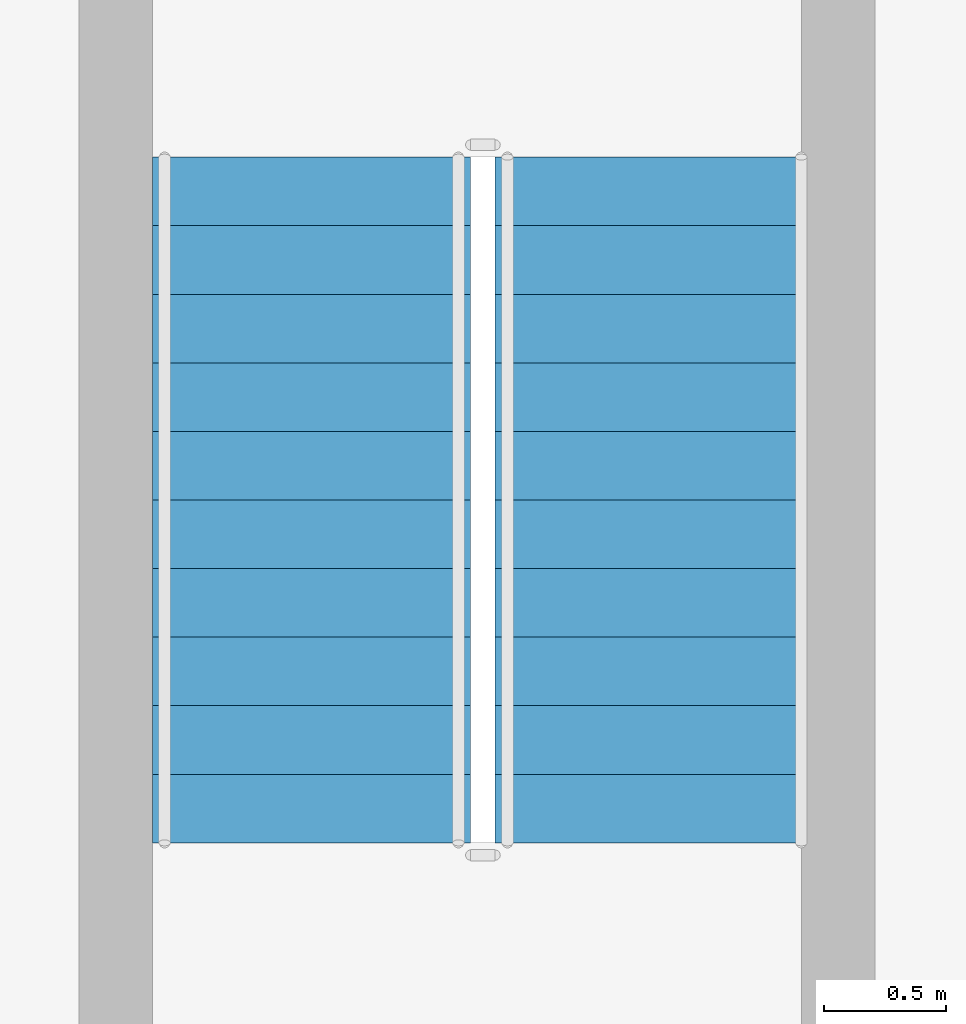
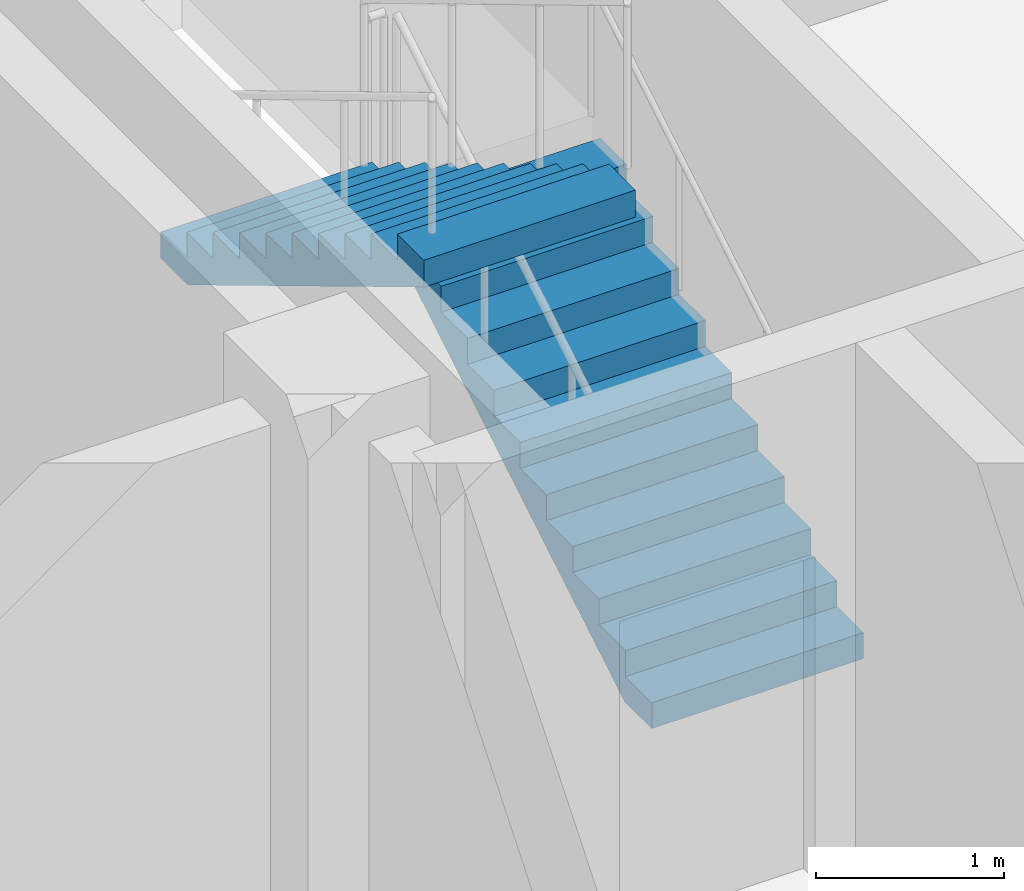
# One storey, part 16 of 23: 2 stair flights, 1 element without a shape of its own.
"""IFC4 building model written with IfcOpenShell, lengths in metres."""

from ifc_helpers import new_model, si_unit, direction, frame, origin, place, context, subcontext, project, spatial, triangles, source, transform, mapped, material, type_object, element, aggregate, save


model = new_model("IFC4")

# Units and contexts
model_context = context("Model", 3, precision=1e-05, world=origin(), true_north=direction((0.0, 1.0)))
body_context = subcontext(model_context, "Body", "Model", "MODEL_VIEW")
ifc_project = project(units=[si_unit("LENGTHUNIT", "METRE"), si_unit("AREAUNIT", "SQUARE_METRE"), si_unit("VOLUMEUNIT", "CUBIC_METRE"), si_unit("PLANEANGLEUNIT", "RADIAN"), si_unit("MASSUNIT", "GRAM", prefix="KILO")], contexts=[model_context])

# Site, building, storey
site_placement = place(None, origin())
site = spatial("IfcSite", under=ifc_project, at=site_placement, CompositionType="ELEMENT")
building_placement = place(site_placement, origin())
building = spatial("IfcBuilding", under=site, at=building_placement, Name="Ogive Portal Towers", CompositionType="ELEMENT")
storey_placement = place(building_placement, frame((0.0, 0.0, 175.5)))
storey = spatial("IfcBuildingStorey", under=building, at=storey_placement, Name="L43", CompositionType="ELEMENT", Elevation=175.5)

# Stair, stair flights
ifc_material = material(Name="Concrete C40/50", Category="concrete")
stair_type = type_object("IfcStairType", Name="INT-STAIR", PredefinedType="HALF_TURN_STAIR", material=ifc_material)
stair_placement = place(storey_placement, origin())
stair = element("IfcStair", 1, at=stair_placement, inside=storey, type_object=stair_type, Name="L43 Exit Stair ST-A3", PredefinedType="HALF_TURN_STAIR")
stair_flight_type = type_object("IfcStairFlightType", Name="INT-FLIGHT", PredefinedType="STRAIGHT", material=ifc_material)
shared_shape = source(origin(), body_context, "Body", "Tessellation", [
    triangles([(0.0, -0.650146484375, 0.0), (0.0, -0.376220703125, 0.0), (0.0, -0.192626953125, 0.0), (0.0, -0.081298828125, 0.0), (0.0, -0.024169921875, 0.0), (0.0, -0.003173828125, 0.0), (0.0, 0.0, 0.0), (0.0, 0.0029296875, 0.0), (0.0, 0.02392578125, 0.0), (0.0, 0.0810546875, 0.0), (0.0, 0.1923828125, 0.0), (0.0, 0.3759765625, 0.0), (0.0, 0.64990234375, 0.0), (0.0, -0.650146484375, 0.168212890625), (0.0, -0.376220703125, 0.168212890625), (0.0, -0.192626953125, 0.168212890625), (0.0, -0.081298828125, 0.168212890625), (0.0, -0.024169921875, 0.168212890625), (0.0, -0.003173828125, 0.168212890625), (0.0, 0.0, 0.168212890625), (0.0, 0.0029296875, 0.168212890625), (0.0, 0.02392578125, 0.168212890625), (0.0, 0.0810546875, 0.168212890625), (0.0, 0.1923828125, 0.168212890625), (0.0, 0.3759765625, 0.168212890625), (0.0, 0.64990234375, 0.168212890625), (0.280029296875, -0.650146484375, 0.168212890625), (0.280029296875, -0.376220703125, 0.168212890625), (0.280029296875, -0.192626953125, 0.168212890625), (0.280029296875, -0.081298828125, 0.168212890625), (0.280029296875, -0.024169921875, 0.168212890625), (0.280029296875, -0.003173828125, 0.168212890625), (0.280029296875, 0.0, 0.168212890625), (0.280029296875, 0.0029296875, 0.168212890625), (0.280029296875, 0.02392578125, 0.168212890625), (0.280029296875, 0.0810546875, 0.168212890625), (0.280029296875, 0.1923828125, 0.168212890625), (0.280029296875, 0.3759765625, 0.168212890625), (0.280029296875, 0.64990234375, 0.168212890625), (0.280029296875, -0.650146484375, 0.33642578125), (0.280029296875, -0.376220703125, 0.33642578125), (0.280029296875, -0.192626953125, 0.33642578125), (0.280029296875, -0.081298828125, 0.33642578125), (0.280029296875, -0.024169921875, 0.33642578125), (0.280029296875, -0.003173828125, 0.33642578125), (0.280029296875, 0.0, 0.33642578125), (0.280029296875, 0.0029296875, 0.33642578125), (0.280029296875, 0.02392578125, 0.33642578125), (0.280029296875, 0.0810546875, 0.33642578125), (0.280029296875, 0.1923828125, 0.33642578125), (0.280029296875, 0.3759765625, 0.33642578125), (0.280029296875, 0.64990234375, 0.33642578125), (0.56005859375, -0.650146484375, 0.33642578125), (0.56005859375, -0.376220703125, 0.33642578125), (0.56005859375, -0.192626953125, 0.33642578125), (0.56005859375, -0.081298828125, 0.33642578125), (0.56005859375, -0.024169921875, 0.33642578125), (0.56005859375, -0.003173828125, 0.33642578125), (0.56005859375, 0.0, 0.33642578125), (0.56005859375, 0.0029296875, 0.33642578125), (0.56005859375, 0.02392578125, 0.33642578125), (0.56005859375, 0.0810546875, 0.33642578125), (0.56005859375, 0.1923828125, 0.33642578125), (0.56005859375, 0.3759765625, 0.33642578125), (0.56005859375, 0.64990234375, 0.33642578125), (0.56005859375, -0.650146484375, 0.504638671875), (0.56005859375, -0.376220703125, 0.504638671875), (0.56005859375, -0.192626953125, 0.504638671875), (0.56005859375, -0.081298828125, 0.504638671875), (0.56005859375, -0.024169921875, 0.504638671875), (0.56005859375, -0.003173828125, 0.504638671875), (0.56005859375, 0.0, 0.504638671875), (0.56005859375, 0.0029296875, 0.504638671875), (0.56005859375, 0.02392578125, 0.504638671875), (0.56005859375, 0.0810546875, 0.504638671875), (0.56005859375, 0.1923828125, 0.504638671875), (0.56005859375, 0.3759765625, 0.504638671875), (0.56005859375, 0.64990234375, 0.504638671875), (0.840087890625, -0.650146484375, 0.504638671875), (0.840087890625, -0.376220703125, 0.504638671875), (0.840087890625, -0.192626953125, 0.504638671875), (0.840087890625, -0.081298828125, 0.504638671875), (0.840087890625, -0.024169921875, 0.504638671875), (0.840087890625, -0.003173828125, 0.504638671875), (0.840087890625, 0.0, 0.504638671875), (0.840087890625, 0.0029296875, 0.504638671875), (0.840087890625, 0.02392578125, 0.504638671875), (0.840087890625, 0.0810546875, 0.504638671875), (0.840087890625, 0.1923828125, 0.504638671875), (0.840087890625, 0.3759765625, 0.504638671875), (0.840087890625, 0.64990234375, 0.504638671875), (0.840087890625, -0.650146484375, 0.672607421875), (0.840087890625, -0.376220703125, 0.672607421875), (0.840087890625, -0.192626953125, 0.672607421875), (0.840087890625, -0.081298828125, 0.672607421875), (0.840087890625, -0.024169921875, 0.672607421875), (0.840087890625, -0.003173828125, 0.672607421875), (0.840087890625, 0.0, 0.672607421875), (0.840087890625, 0.0029296875, 0.672607421875), (0.840087890625, 0.02392578125, 0.672607421875), (0.840087890625, 0.0810546875, 0.672607421875), (0.840087890625, 0.1923828125, 0.672607421875), (0.840087890625, 0.3759765625, 0.672607421875), (0.840087890625, 0.64990234375, 0.672607421875), (1.1201171875, -0.650146484375, 0.672607421875), (1.1201171875, -0.376220703125, 0.672607421875), (1.1201171875, -0.192626953125, 0.672607421875), (1.1201171875, -0.081298828125, 0.672607421875), (1.1201171875, -0.024169921875, 0.672607421875), (1.1201171875, -0.003173828125, 0.672607421875), (1.1201171875, 0.0, 0.672607421875), (1.1201171875, 0.0029296875, 0.672607421875), (1.1201171875, 0.02392578125, 0.672607421875), (1.1201171875, 0.0810546875, 0.672607421875), (1.1201171875, 0.1923828125, 0.672607421875), (1.1201171875, 0.3759765625, 0.672607421875), (1.1201171875, 0.64990234375, 0.672607421875), (1.1201171875, -0.650146484375, 0.8408203125), (1.1201171875, -0.376220703125, 0.8408203125), (1.1201171875, -0.192626953125, 0.8408203125), (1.1201171875, -0.081298828125, 0.8408203125), (1.1201171875, -0.024169921875, 0.8408203125), (1.1201171875, -0.003173828125, 0.8408203125), (1.1201171875, 0.0, 0.8408203125), (1.1201171875, 0.0029296875, 0.8408203125), (1.1201171875, 0.02392578125, 0.8408203125), (1.1201171875, 0.0810546875, 0.8408203125), (1.1201171875, 0.1923828125, 0.8408203125), (1.1201171875, 0.3759765625, 0.8408203125), (1.1201171875, 0.64990234375, 0.8408203125), (1.39990234375, -0.650146484375, 0.8408203125), (1.39990234375, -0.376220703125, 0.8408203125), (1.39990234375, -0.192626953125, 0.8408203125), (1.39990234375, -0.081298828125, 0.8408203125), (1.39990234375, -0.024169921875, 0.8408203125), (1.39990234375, -0.003173828125, 0.8408203125), (1.39990234375, 0.0, 0.8408203125), (1.39990234375, 0.0029296875, 0.8408203125), (1.39990234375, 0.02392578125, 0.8408203125), (1.39990234375, 0.0810546875, 0.8408203125), (1.39990234375, 0.1923828125, 0.8408203125), (1.39990234375, 0.3759765625, 0.8408203125), (1.39990234375, 0.64990234375, 0.8408203125), (1.39990234375, -0.650146484375, 1.009033203125), (1.39990234375, -0.376220703125, 1.009033203125), (1.39990234375, -0.192626953125, 1.009033203125), (1.39990234375, -0.081298828125, 1.009033203125), (1.39990234375, -0.024169921875, 1.009033203125), (1.39990234375, -0.003173828125, 1.009033203125), (1.39990234375, 0.0, 1.009033203125), (1.39990234375, 0.0029296875, 1.009033203125), (1.39990234375, 0.02392578125, 1.009033203125), (1.39990234375, 0.0810546875, 1.009033203125), (1.39990234375, 0.1923828125, 1.009033203125), (1.39990234375, 0.3759765625, 1.009033203125), (1.39990234375, 0.64990234375, 1.009033203125), (1.679931640625, -0.650146484375, 1.009033203125), (1.679931640625, -0.376220703125, 1.009033203125), (1.679931640625, -0.192626953125, 1.009033203125), (1.679931640625, -0.081298828125, 1.009033203125), (1.679931640625, -0.024169921875, 1.009033203125), (1.679931640625, -0.003173828125, 1.009033203125), (1.679931640625, 0.0, 1.009033203125), (1.679931640625, 0.0029296875, 1.009033203125), (1.679931640625, 0.02392578125, 1.009033203125), (1.679931640625, 0.0810546875, 1.009033203125), (1.679931640625, 0.1923828125, 1.009033203125), (1.679931640625, 0.3759765625, 1.009033203125), (1.679931640625, 0.64990234375, 1.009033203125), (1.679931640625, -0.650146484375, 1.17724609375), (1.679931640625, -0.376220703125, 1.17724609375), (1.679931640625, -0.192626953125, 1.17724609375), (1.679931640625, -0.081298828125, 1.17724609375), (1.679931640625, -0.024169921875, 1.17724609375), (1.679931640625, -0.003173828125, 1.17724609375), (1.679931640625, 0.0, 1.17724609375), (1.679931640625, 0.0029296875, 1.17724609375), (1.679931640625, 0.02392578125, 1.17724609375), (1.679931640625, 0.0810546875, 1.17724609375), (1.679931640625, 0.1923828125, 1.17724609375), (1.679931640625, 0.3759765625, 1.17724609375), (1.679931640625, 0.64990234375, 1.17724609375), (1.9599609375, -0.650146484375, 1.17724609375), (1.9599609375, -0.376220703125, 1.17724609375), (1.9599609375, -0.192626953125, 1.17724609375), (1.9599609375, -0.081298828125, 1.17724609375), (1.9599609375, -0.024169921875, 1.17724609375), (1.9599609375, -0.003173828125, 1.17724609375), (1.9599609375, 0.0, 1.17724609375), (1.9599609375, 0.0029296875, 1.17724609375), (1.9599609375, 0.02392578125, 1.17724609375), (1.9599609375, 0.0810546875, 1.17724609375), (1.9599609375, 0.1923828125, 1.17724609375), (1.9599609375, 0.3759765625, 1.17724609375), (1.9599609375, 0.64990234375, 1.17724609375), (1.9599609375, -0.650146484375, 1.345458984375), (1.9599609375, -0.376220703125, 1.345458984375), (1.9599609375, -0.192626953125, 1.345458984375), (1.9599609375, -0.081298828125, 1.345458984375), (1.9599609375, -0.024169921875, 1.345458984375), (1.9599609375, -0.003173828125, 1.345458984375), (1.9599609375, 0.0, 1.345458984375), (1.9599609375, 0.0029296875, 1.345458984375), (1.9599609375, 0.02392578125, 1.345458984375), (1.9599609375, 0.0810546875, 1.345458984375), (1.9599609375, 0.1923828125, 1.345458984375), (1.9599609375, 0.3759765625, 1.345458984375), (1.9599609375, 0.64990234375, 1.345458984375), (2.239990234375, -0.650146484375, 1.345458984375), (2.239990234375, -0.376220703125, 1.345458984375), (2.239990234375, -0.192626953125, 1.345458984375), (2.239990234375, -0.081298828125, 1.345458984375), (2.239990234375, -0.024169921875, 1.345458984375), (2.239990234375, -0.003173828125, 1.345458984375), (2.239990234375, 0.0, 1.345458984375), (2.239990234375, 0.0029296875, 1.345458984375), (2.239990234375, 0.02392578125, 1.345458984375), (2.239990234375, 0.0810546875, 1.345458984375), (2.239990234375, 0.1923828125, 1.345458984375), (2.239990234375, 0.3759765625, 1.345458984375), (2.239990234375, 0.64990234375, 1.345458984375), (2.239990234375, -0.650146484375, 1.513671875), (2.239990234375, -0.376220703125, 1.513671875), (2.239990234375, -0.192626953125, 1.513671875), (2.239990234375, -0.081298828125, 1.513671875), (2.239990234375, -0.024169921875, 1.513671875), (2.239990234375, -0.003173828125, 1.513671875), (2.239990234375, 0.0, 1.513671875), (2.239990234375, 0.0029296875, 1.513671875), (2.239990234375, 0.02392578125, 1.513671875), (2.239990234375, 0.0810546875, 1.513671875), (2.239990234375, 0.1923828125, 1.513671875), (2.239990234375, 0.3759765625, 1.513671875), (2.239990234375, 0.64990234375, 1.513671875), (2.52001953125, -0.650146484375, 1.513671875), (2.52001953125, -0.376220703125, 1.513671875), (2.52001953125, -0.192626953125, 1.513671875), (2.52001953125, -0.081298828125, 1.513671875), (2.52001953125, -0.024169921875, 1.513671875), (2.52001953125, -0.003173828125, 1.513671875), (2.52001953125, 0.0, 1.513671875), (2.52001953125, 0.0029296875, 1.513671875), (2.52001953125, 0.02392578125, 1.513671875), (2.52001953125, 0.0810546875, 1.513671875), (2.52001953125, 0.1923828125, 1.513671875), (2.52001953125, 0.3759765625, 1.513671875), (2.52001953125, 0.64990234375, 1.513671875), (2.52001953125, -0.650146484375, 1.681884765625), (2.52001953125, -0.376220703125, 1.681884765625), (2.52001953125, -0.192626953125, 1.681884765625), (2.52001953125, -0.081298828125, 1.681884765625), (2.52001953125, -0.024169921875, 1.681884765625), (2.52001953125, -0.003173828125, 1.681884765625), (2.52001953125, 0.0, 1.681884765625), (2.52001953125, 0.0029296875, 1.681884765625), (2.52001953125, 0.02392578125, 1.681884765625), (2.52001953125, 0.0810546875, 1.681884765625), (2.52001953125, 0.1923828125, 1.681884765625), (2.52001953125, 0.3759765625, 1.681884765625), (2.52001953125, 0.64990234375, 1.681884765625), (2.800048828125, -0.650146484375, 1.681884765625), (2.800048828125, -0.376220703125, 1.681884765625), (2.800048828125, -0.192626953125, 1.681884765625), (2.800048828125, -0.081298828125, 1.681884765625), (2.800048828125, -0.024169921875, 1.681884765625), (2.800048828125, -0.003173828125, 1.681884765625), (2.800048828125, 0.0, 1.681884765625), (2.800048828125, 0.0029296875, 1.681884765625), (2.800048828125, 0.02392578125, 1.681884765625), (2.800048828125, 0.0810546875, 1.681884765625), (2.800048828125, 0.1923828125, 1.681884765625), (2.800048828125, 0.3759765625, 1.681884765625), (2.800048828125, 0.64990234375, 1.681884765625), (2.800048828125, -0.650146484375, 1.5068359375), (2.800048828125, -0.376220703125, 1.5068359375), (2.800048828125, -0.192626953125, 1.5068359375), (2.800048828125, -0.081298828125, 1.5068359375), (2.800048828125, -0.024169921875, 1.5068359375), (2.800048828125, -0.003173828125, 1.5068359375), (2.800048828125, 0.0, 1.5068359375), (2.800048828125, 0.0029296875, 1.5068359375), (2.800048828125, 0.02392578125, 1.5068359375), (2.800048828125, 0.0810546875, 1.5068359375), (2.800048828125, 0.1923828125, 1.5068359375), (2.800048828125, 0.3759765625, 1.5068359375), (2.800048828125, 0.64990234375, 1.5068359375), (0.291015625, -0.650146484375, 0.0), (0.291015625, -0.376220703125, 0.0), (0.291015625, -0.192626953125, 0.0), (0.291015625, -0.081298828125, 0.0), (0.291015625, -0.024169921875, 0.0), (0.291015625, -0.003173828125, 0.0), (0.291015625, 0.0, 0.0), (0.291015625, 0.0029296875, 0.0), (0.291015625, 0.02392578125, 0.0), (0.291015625, 0.0810546875, 0.0), (0.291015625, 0.1923828125, 0.0), (0.291015625, 0.3759765625, 0.0), (0.291015625, 0.64990234375, 0.0)], [[1, 14, 15], [1, 15, 2], [2, 15, 16], [2, 16, 3], [3, 16, 17], [3, 17, 4], [4, 17, 18], [4, 18, 5], [5, 18, 19], [5, 19, 6], [6, 19, 20], [6, 20, 7], [7, 20, 21], [7, 21, 8], [8, 21, 22], [8, 22, 9], [9, 22, 23], [9, 23, 10], [10, 23, 24], [10, 24, 11], [11, 24, 25], [11, 25, 12], [12, 25, 26], [12, 26, 13], [14, 27, 28], [14, 28, 15], [15, 28, 29], [15, 29, 16], [16, 29, 30], [16, 30, 17], [17, 30, 31], [17, 31, 18], [18, 31, 32], [18, 32, 19], [19, 32, 33], [19, 33, 20], [20, 33, 34], [20, 34, 21], [21, 34, 35], [21, 35, 22], [22, 35, 36], [22, 36, 23], [23, 36, 37], [23, 37, 24], [24, 37, 38], [24, 38, 25], [25, 38, 39], [25, 39, 26], [27, 40, 41], [27, 41, 28], [28, 41, 42], [28, 42, 29], [29, 42, 43], [29, 43, 30], [30, 43, 44], [30, 44, 31], [31, 44, 45], [31, 45, 32], [32, 45, 46], [32, 46, 33], [33, 46, 47], [33, 47, 34], [34, 47, 48], [34, 48, 35], [35, 48, 49], [35, 49, 36], [36, 49, 50], [36, 50, 37], [37, 50, 51], [37, 51, 38], [38, 51, 52], [38, 52, 39], [40, 53, 54], [40, 54, 41], [41, 54, 55], [41, 55, 42], [42, 55, 56], [42, 56, 43], [43, 56, 57], [43, 57, 44], [44, 57, 58], [44, 58, 45], [45, 58, 59], [45, 59, 46], [46, 59, 60], [46, 60, 47], [47, 60, 61], [47, 61, 48], [48, 61, 62], [48, 62, 49], [49, 62, 63], [49, 63, 50], [50, 63, 64], [50, 64, 51], [51, 64, 65], [51, 65, 52], [53, 66, 67], [53, 67, 54], [54, 67, 68], [54, 68, 55], [55, 68, 69], [55, 69, 56], [56, 69, 70], [56, 70, 57], [57, 70, 71], [57, 71, 58], [58, 71, 72], [58, 72, 59], [59, 72, 73], [59, 73, 60], [60, 73, 74], [60, 74, 61], [61, 74, 75], [61, 75, 62], [62, 75, 76], [62, 76, 63], [63, 76, 77], [63, 77, 64], [64, 77, 78], [64, 78, 65], [66, 79, 80], [66, 80, 67], [67, 80, 81], [67, 81, 68], [68, 81, 82], [68, 82, 69], [69, 82, 83], [69, 83, 70], [70, 83, 84], [70, 84, 71], [71, 84, 85], [71, 85, 72], [72, 85, 86], [72, 86, 73], [73, 86, 87], [73, 87, 74], [74, 87, 88], [74, 88, 75], [75, 88, 89], [75, 89, 76], [76, 89, 90], [76, 90, 77], [77, 90, 91], [77, 91, 78], [79, 92, 93], [79, 93, 80], [80, 93, 94], [80, 94, 81], [81, 94, 95], [81, 95, 82], [82, 95, 96], [82, 96, 83], [83, 96, 97], [83, 97, 84], [84, 97, 98], [84, 98, 85], [85, 98, 99], [85, 99, 86], [86, 99, 100], [86, 100, 87], [87, 100, 101], [87, 101, 88], [88, 101, 102], [88, 102, 89], [89, 102, 103], [89, 103, 90], [90, 103, 104], [90, 104, 91], [92, 105, 106], [92, 106, 93], [93, 106, 107], [93, 107, 94], [94, 107, 108], [94, 108, 95], [95, 108, 109], [95, 109, 96], [96, 109, 110], [96, 110, 97], [97, 110, 111], [97, 111, 98], [98, 111, 112], [98, 112, 99], [99, 112, 113], [99, 113, 100], [100, 113, 114], [100, 114, 101], [101, 114, 115], [101, 115, 102], [102, 115, 116], [102, 116, 103], [103, 116, 117], [103, 117, 104], [105, 118, 119], [105, 119, 106], [106, 119, 120], [106, 120, 107], [107, 120, 121], [107, 121, 108], [108, 121, 122], [108, 122, 109], [109, 122, 123], [109, 123, 110], [110, 123, 124], [110, 124, 111], [111, 124, 125], [111, 125, 112], [112, 125, 126], [112, 126, 113], [113, 126, 127], [113, 127, 114], [114, 127, 128], [114, 128, 115], [115, 128, 129], [115, 129, 116], [116, 129, 130], [116, 130, 117], [118, 131, 132], [118, 132, 119], [119, 132, 133], [119, 133, 120], [120, 133, 134], [120, 134, 121], [121, 134, 135], [121, 135, 122], [122, 135, 136], [122, 136, 123], [123, 136, 137], [123, 137, 124], [124, 137, 138], [124, 138, 125], [125, 138, 139], [125, 139, 126], [126, 139, 140], [126, 140, 127], [127, 140, 141], [127, 141, 128], [128, 141, 142], [128, 142, 129], [129, 142, 143], [129, 143, 130], [131, 144, 145], [131, 145, 132], [132, 145, 146], [132, 146, 133], [133, 146, 147], [133, 147, 134], [134, 147, 148], [134, 148, 135], [135, 148, 149], [135, 149, 136], [136, 149, 150], [136, 150, 137], [137, 150, 151], [137, 151, 138], [138, 151, 152], [138, 152, 139], [139, 152, 153], [139, 153, 140], [140, 153, 154], [140, 154, 141], [141, 154, 155], [141, 155, 142], [142, 155, 156], [142, 156, 143], [144, 157, 158], [144, 158, 145], [145, 158, 159], [145, 159, 146], [146, 159, 160], [146, 160, 147], [147, 160, 161], [147, 161, 148], [148, 161, 162], [148, 162, 149], [149, 162, 163], [149, 163, 150], [150, 163, 164], [150, 164, 151], [151, 164, 165], [151, 165, 152], [152, 165, 166], [152, 166, 153], [153, 166, 167], [153, 167, 154], [154, 167, 168], [154, 168, 155], [155, 168, 169], [155, 169, 156], [157, 170, 171], [157, 171, 158], [158, 171, 172], [158, 172, 159], [159, 172, 173], [159, 173, 160], [160, 173, 174], [160, 174, 161], [161, 174, 175], [161, 175, 162], [162, 175, 176], [162, 176, 163], [163, 176, 177], [163, 177, 164], [164, 177, 178], [164, 178, 165], [165, 178, 179], [165, 179, 166], [166, 179, 180], [166, 180, 167], [167, 180, 181], [167, 181, 168], [168, 181, 182], [168, 182, 169], [170, 183, 184], [170, 184, 171], [171, 184, 185], [171, 185, 172], [172, 185, 186], [172, 186, 173], [173, 186, 187], [173, 187, 174], [174, 187, 188], [174, 188, 175], [175, 188, 189], [175, 189, 176], [176, 189, 190], [176, 190, 177], [177, 190, 191], [177, 191, 178], [178, 191, 192], [178, 192, 179], [179, 192, 193], [179, 193, 180], [180, 193, 194], [180, 194, 181], [181, 194, 195], [181, 195, 182], [183, 196, 197], [183, 197, 184], [184, 197, 198], [184, 198, 185], [185, 198, 199], [185, 199, 186], [186, 199, 200], [186, 200, 187], [187, 200, 201], [187, 201, 188], [188, 201, 202], [188, 202, 189], [189, 202, 203], [189, 203, 190], [190, 203, 204], [190, 204, 191], [191, 204, 205], [191, 205, 192], [192, 205, 206], [192, 206, 193], [193, 206, 207], [193, 207, 194], [194, 207, 208], [194, 208, 195], [196, 209, 210], [196, 210, 197], [197, 210, 211], [197, 211, 198], [198, 211, 212], [198, 212, 199], [199, 212, 213], [199, 213, 200], [200, 213, 214], [200, 214, 201], [201, 214, 215], [201, 215, 202], [202, 215, 216], [202, 216, 203], [203, 216, 217], [203, 217, 204], [204, 217, 218], [204, 218, 205], [205, 218, 219], [205, 219, 206], [206, 219, 220], [206, 220, 207], [207, 220, 221], [207, 221, 208], [209, 222, 223], [209, 223, 210], [210, 223, 224], [210, 224, 211], [211, 224, 225], [211, 225, 212], [212, 225, 226], [212, 226, 213], [213, 226, 227], [213, 227, 214], [214, 227, 228], [214, 228, 215], [215, 228, 229], [215, 229, 216], [216, 229, 230], [216, 230, 217], [217, 230, 231], [217, 231, 218], [218, 231, 232], [218, 232, 219], [219, 232, 233], [219, 233, 220], [220, 233, 234], [220, 234, 221], [222, 235, 236], [222, 236, 223], [223, 236, 237], [223, 237, 224], [224, 237, 238], [224, 238, 225], [225, 238, 239], [225, 239, 226], [226, 239, 240], [226, 240, 227], [227, 240, 241], [227, 241, 228], [228, 241, 242], [228, 242, 229], [229, 242, 243], [229, 243, 230], [230, 243, 244], [230, 244, 231], [231, 244, 245], [231, 245, 232], [232, 245, 246], [232, 246, 233], [233, 246, 247], [233, 247, 234], [235, 248, 249], [235, 249, 236], [236, 249, 250], [236, 250, 237], [237, 250, 251], [237, 251, 238], [238, 251, 252], [238, 252, 239], [239, 252, 253], [239, 253, 240], [240, 253, 254], [240, 254, 241], [241, 254, 255], [241, 255, 242], [242, 255, 256], [242, 256, 243], [243, 256, 257], [243, 257, 244], [244, 257, 258], [244, 258, 245], [245, 258, 259], [245, 259, 246], [246, 259, 260], [246, 260, 247], [248, 261, 262], [248, 262, 249], [249, 262, 263], [249, 263, 250], [250, 263, 264], [250, 264, 251], [251, 264, 265], [251, 265, 252], [252, 265, 266], [252, 266, 253], [253, 266, 267], [253, 267, 254], [254, 267, 268], [254, 268, 255], [255, 268, 269], [255, 269, 256], [256, 269, 270], [256, 270, 257], [257, 270, 271], [257, 271, 258], [258, 271, 272], [258, 272, 259], [259, 272, 273], [259, 273, 260], [261, 274, 275], [261, 275, 262], [262, 275, 276], [262, 276, 263], [263, 276, 277], [263, 277, 264], [264, 277, 278], [264, 278, 265], [265, 278, 279], [265, 279, 266], [266, 279, 280], [266, 280, 267], [267, 280, 281], [267, 281, 268], [268, 281, 282], [268, 282, 269], [269, 282, 283], [269, 283, 270], [270, 283, 284], [270, 284, 271], [271, 284, 285], [271, 285, 272], [272, 285, 286], [272, 286, 273], [274, 287, 288], [274, 288, 275], [275, 288, 289], [275, 289, 276], [276, 289, 290], [276, 290, 277], [277, 290, 291], [277, 291, 278], [278, 291, 292], [278, 292, 279], [279, 292, 293], [279, 293, 280], [280, 293, 294], [280, 294, 281], [281, 294, 295], [281, 295, 282], [282, 295, 296], [282, 296, 283], [283, 296, 297], [283, 297, 284], [284, 297, 298], [284, 298, 285], [285, 298, 299], [285, 299, 286], [287, 1, 2], [287, 2, 288], [288, 2, 3], [288, 3, 289], [289, 3, 4], [289, 4, 290], [290, 4, 5], [290, 5, 291], [291, 5, 6], [291, 6, 292], [292, 6, 7], [292, 7, 293], [293, 7, 8], [293, 8, 294], [294, 8, 9], [294, 9, 295], [295, 9, 10], [295, 10, 296], [296, 10, 11], [296, 11, 297], [297, 11, 12], [297, 12, 298], [298, 12, 13], [298, 13, 299], [1, 287, 274], [13, 286, 299], [274, 261, 248], [286, 260, 273], [274, 248, 235], [286, 247, 260], [274, 235, 222], [286, 234, 247], [274, 222, 209], [286, 221, 234], [209, 196, 183], [221, 195, 208], [274, 209, 183], [286, 195, 221], [183, 170, 157], [195, 169, 182], [274, 183, 157], [286, 169, 195], [157, 144, 131], [169, 143, 156], [274, 157, 131], [286, 143, 169], [131, 118, 105], [143, 117, 130], [274, 131, 105], [286, 117, 143], [1, 274, 105], [13, 117, 286], [105, 92, 79], [117, 91, 104], [79, 66, 53], [91, 65, 78], [105, 79, 53], [117, 65, 91], [53, 40, 27], [65, 39, 52], [105, 53, 27], [117, 39, 65], [1, 105, 27], [13, 39, 117], [27, 14, 1], [39, 13, 26]], closed=True),
])
stair_flight_1_placement = place(storey_placement, frame((43.550048828125, 67.199951171875, 0.0), z_axis=(0.0, 0.0, 1.0), x_axis=(0.0, 1.0, 0.0)))
stair_flight_1 = element("IfcStairFlight", 2, at=stair_flight_1_placement, type_object=stair_flight_type, Name="ST-A3 flight 1", NumberOfRisers=11, NumberOfTreads=10, PredefinedType="STRAIGHT", RiserHeight=0.168181818, TreadLength=0.28, context=body_context, shape_type="MappedRepresentation", body=[
    mapped(shared_shape, transform((0.0, 0.0, 0.0), scale=1.0)),
])
stair_flight_2_placement = place(storey_placement, frame((42.14990234375, 70.0, 1.85009765625), z_axis=(0.0, 0.0, 1.0), x_axis=(0.0, -1.0, 0.0)))
stair_flight_2 = element("IfcStairFlight", 3, at=stair_flight_2_placement, type_object=stair_flight_type, Name="ST-A3 flight 2", NumberOfRisers=11, NumberOfTreads=10, PredefinedType="STRAIGHT", RiserHeight=0.168181818, TreadLength=0.28, context=body_context, shape_type="MappedRepresentation", body=[
    mapped(shared_shape, transform((0.0, 0.0, 0.0), scale=1.0)),
])
aggregate(stair, [stair_flight_1, stair_flight_2])

save(model, "model.ifc")
